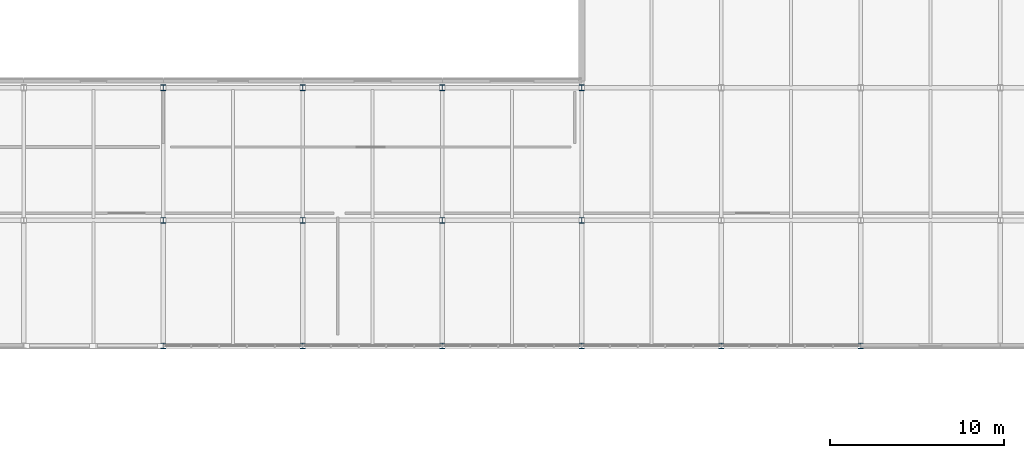
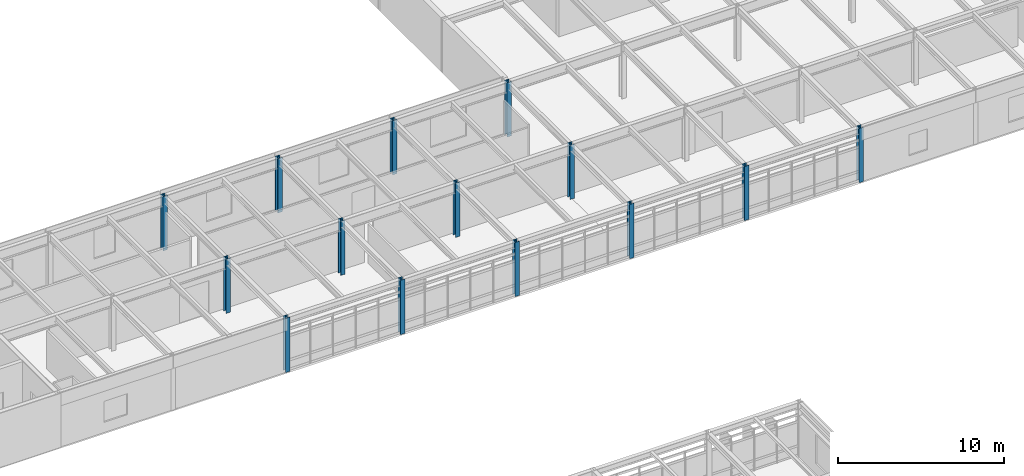
# One storey, part 5 of 45: 14 columns.
"""IFC4 building model written with IfcOpenShell, lengths in metres."""

from ifc_helpers import new_model, si_unit, direction, frame, origin, origin_2d, place, context, subcontext, project, spatial, i_section, extrude, material, material_profile, profile_set, type_object, element, save


model = new_model("IFC4")

# Units and contexts
model_context = context("Model", 3, precision=1e-05, world=origin(), true_north=direction((0.0, 1.0)))
body_context = subcontext(model_context, "Body", "Model", "MODEL_VIEW")
ifc_project = project(units=[si_unit("LENGTHUNIT", "METRE"), si_unit("AREAUNIT", "SQUARE_METRE"), si_unit("VOLUMEUNIT", "CUBIC_METRE"), si_unit("PLANEANGLEUNIT", "RADIAN"), si_unit("MASSUNIT", "GRAM", prefix="KILO")], contexts=[model_context])

# Site, building, storey
site_placement = place(None, origin())
site = spatial("IfcSite", under=ifc_project, at=site_placement, CompositionType="ELEMENT")
building_placement = place(site_placement, origin())
building = spatial("IfcBuilding", under=site, at=building_placement, Name="Zulena Civic Courthouse", CompositionType="ELEMENT")
storey_placement = place(building_placement, frame((0.0, 0.0, 29.39990234375)))
storey = spatial("IfcBuildingStorey", under=building, at=storey_placement, Name="L06", CompositionType="ELEMENT", Elevation=29.39990234375)

# Columns
ifc_material = material(Name="Steel ASTM A992 Grade 50", Category="steel")
ifc_material_profile_1 = material_profile(ifc_material, i_section(OverallWidth=0.306884765625, OverallDepth=0.31396484375, WebThickness=0.011962890625, FlangeThickness=0.018798828125, FilletRadius=0.01513671875, at=origin_2d()), Name="W12X79")
ifc_profile_set_1 = profile_set([ifc_material_profile_1], Name="Steel ASTM A992 Grade 50")
column_type_1 = type_object("IfcColumnType", Name="Col_W12X79", PredefinedType="COLUMN", material=ifc_profile_set_1)
for number, where, z_axis, x_axis, name in (
    (1, (44.0, 46.0, 0.0), (0.0, 0.0, 1.0), (1.0, 0.0, 0.0), "col:V5:L06:44.0:46.0"),
    (2, (52.0, 46.0, 0.0), (0.0, 0.0, 1.0), (1.0, 0.0, 0.0), "col:V5:L06:52.0:46.0"),
    (3, (60.0, 46.0, 0.0), (0.0, 0.0, 1.0), (1.0, 0.0, 0.0), "col:V5:L06:60.0:46.0"),
    (4, (68.0, 46.0, 0.0), (0.0, 0.0, 1.0), (1.0, 0.0, 0.0), "col:V5:L06:68.0:46.0"),
    (5, (76.0, 46.0, 0.0), (0.0, 0.0, 1.0), (1.0, 0.0, 0.0), "col:V5:L06:76.0:46.0"),
    (6, (84.0, 46.0, 0.0), (0.0, 0.0, 1.0), (1.0, 0.0, 0.0), "col:V5:L06:84.0:46.0"),
):
    element("IfcColumn", number, at=place(storey_placement, frame(where, z_axis=z_axis, x_axis=x_axis)), inside=storey, type_object=column_type_1, Name=name, PredefinedType="COLUMN", context=body_context, shape_type="SweptSolid", body=[
        extrude(i_section(OverallWidth=0.306884765625, OverallDepth=0.31396484375, WebThickness=0.011962890625, FlangeThickness=0.018798828125, FilletRadius=0.01513671875, at=origin_2d()), origin(), (0.0, 0.0, 1.0), 4.0),
    ])
ifc_material_profile_2 = material_profile(ifc_material, i_section(OverallWidth=0.30908203125, OverallDepth=0.322998046875, WebThickness=0.013916015625, FlangeThickness=0.02294921875, FilletRadius=0.01513671875, at=origin_2d()), Name="W12X96")
ifc_profile_set_2 = profile_set([ifc_material_profile_2], Name="Steel ASTM A992 Grade 50")
column_type_2 = type_object("IfcColumnType", Name="Col_W12X96", PredefinedType="COLUMN", material=ifc_profile_set_2)
for number, where, z_axis, x_axis, name in (
    (7, (44.0, 53.199951171875, 0.0), (0.0, 0.0, 1.0), (1.0, 0.0, 0.0), "col:V5:L06:44.0:53.2"),
    (8, (44.0, 60.800048828125, 0.0), (0.0, 0.0, 1.0), (1.0, 0.0, 0.0), "col:V5:L06:44.0:60.8"),
    (9, (52.0, 53.199951171875, 0.0), (0.0, 0.0, 1.0), (1.0, 0.0, 0.0), "col:V5:L06:52.0:53.2"),
    (10, (52.0, 60.800048828125, 0.0), (0.0, 0.0, 1.0), (1.0, 0.0, 0.0), "col:V5:L06:52.0:60.8"),
    (11, (60.0, 53.199951171875, 0.0), (0.0, 0.0, 1.0), (1.0, 0.0, 0.0), "col:V5:L06:60.0:53.2"),
    (12, (60.0, 60.800048828125, 0.0), (0.0, 0.0, 1.0), (1.0, 0.0, 0.0), "col:V5:L06:60.0:60.8"),
    (13, (68.0, 53.199951171875, 0.0), (0.0, 0.0, 1.0), (1.0, 0.0, 0.0), "col:V5:L06:68.0:53.2"),
    (14, (68.0, 60.800048828125, 0.0), (0.0, 0.0, 1.0), (1.0, 0.0, 0.0), "col:V5:L06:68.0:60.8"),
):
    element("IfcColumn", number, at=place(storey_placement, frame(where, z_axis=z_axis, x_axis=x_axis)), inside=storey, type_object=column_type_2, Name=name, PredefinedType="COLUMN", context=body_context, shape_type="SweptSolid", body=[
        extrude(i_section(OverallWidth=0.30908203125, OverallDepth=0.322998046875, WebThickness=0.013916015625, FlangeThickness=0.02294921875, FilletRadius=0.01513671875, at=origin_2d()), origin(), (0.0, 0.0, 1.0), 4.0),
    ])

save(model, "model.ifc")
